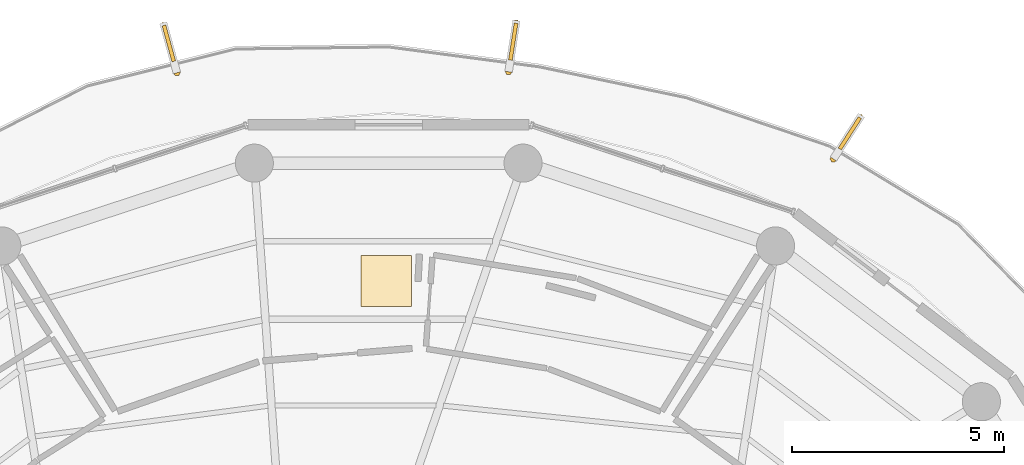
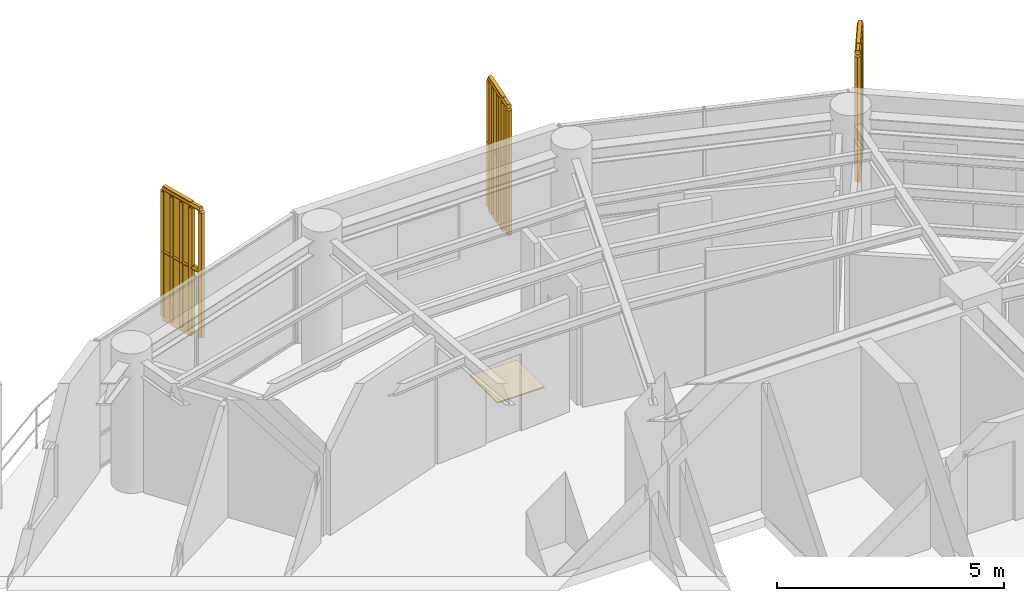
# One storey, part 23 of 23: 3 railings, 3 shading devices, 1 covering.
"""IFC4 building model written with IfcOpenShell, lengths in metres."""

from ifc_helpers import new_model, si_unit, direction, frame, origin, origin_2d, place, context, subcontext, project, spatial, polyline, rectangle, outline, extrude, source, transform, mapped, material, layer, layer_set, type_object, element, save


model = new_model("IFC4")

# Units and contexts
model_context = context("Model", 3, precision=1e-05, world=origin(), true_north=direction((0.0, 1.0)))
body_context = subcontext(model_context, "Body", "Model", "MODEL_VIEW")
ifc_project = project(units=[si_unit("LENGTHUNIT", "METRE"), si_unit("AREAUNIT", "SQUARE_METRE"), si_unit("VOLUMEUNIT", "CUBIC_METRE"), si_unit("PLANEANGLEUNIT", "RADIAN"), si_unit("MASSUNIT", "GRAM", prefix="KILO")], contexts=[model_context])

# Site, building, storey
site_placement = place(None, origin())
site = spatial("IfcSite", under=ifc_project, at=site_placement, CompositionType="ELEMENT")
building_placement = place(site_placement, origin())
building = spatial("IfcBuilding", under=site, at=building_placement, Name="Kelanora Arch Commons", CompositionType="ELEMENT")
storey_placement = place(building_placement, frame((0.0, 0.0, 278.699951171875)))
storey = spatial("IfcBuildingStorey", under=building, at=storey_placement, Name="L71", CompositionType="ELEMENT", Elevation=278.699951171875)

# Railings
ifc_material_1 = material(Name="Anodised bronze vertical shading fin rib assembly")
railing_type = type_object("IfcRailingType", Name="RAIL-FIN-BRZ", PredefinedType="BALUSTRADE", material=ifc_material_1)
railing_1_placement = place(storey_placement, frame((84.50634765625, 74.328857421875, -0.02001953125)))
element("IfcRailing", 1, at=railing_1_placement, inside=storey, type_object=railing_type, Name="Sweeping Bronze Vertical Fin Blade L71-03", PredefinedType="BALUSTRADE", context=body_context, shape_type="SweptSolid", body=[
    extrude(outline(polyline([(0.06982421875, 0.0), (0.034912109375, 0.060546875), (-0.034912109375, 0.060546875), (-0.06982421875, 0.0), (-0.034912109375, -0.060546875), (0.034912109375, -0.060546875), (0.06982421875, 0.0)])), frame((0.0, 0.0, 3.419921875), z_axis=(0.541065173996, 0.840980664159, 0.0), x_axis=(-0.840980664159, 0.541065173996, 0.0)), (0.0, 0.0, 1.0), 1.163330078125),
    extrude(outline(polyline([(0.06982421875, 0.0), (0.034912109375, 0.060546875), (-0.034912109375, 0.060546875), (-0.06982421875, 0.0), (-0.034912109375, -0.060546875), (0.034912109375, -0.060546875), (0.06982421875, 0.0)])), frame((0.0, 0.0, 1.7451171875), z_axis=(0.541065173996, 0.840980664159, 0.0), x_axis=(-0.840980664159, 0.541065173996, 0.0)), (0.0, 0.0, 1.0), 1.163330078125),
    extrude(outline(polyline([(0.080078125, 0.0), (0.0400390625, 0.0693359375), (-0.0400390625, 0.0693359375), (-0.080078125, 0.0), (-0.0400390625, -0.0693359375), (0.0400390625, -0.0693359375), (0.080078125, 0.0)])), origin(), (0.0, 0.0, 1.0), 3.35009765625),
    extrude(outline(polyline([(0.080078125, 0.0), (0.0400390625, 0.0693359375), (-0.0400390625, 0.0693359375), (-0.080078125, 0.0), (-0.0400390625, -0.0693359375), (0.0400390625, -0.0693359375), (0.080078125, 0.0)])), frame((0.1572265625, 0.24462890625, 0.0)), (0.0, 0.0, 1.0), 3.35009765625),
    extrude(outline(polyline([(0.080078125, 0.0), (0.0400390625, 0.0693359375), (-0.0400390625, 0.0693359375), (-0.080078125, 0.0), (-0.0400390625, -0.0693359375), (0.0400390625, -0.0693359375), (0.080078125, 0.0)])), frame((0.314697265625, 0.4892578125, 0.0)), (0.0, 0.0, 1.0), 3.35009765625),
    extrude(outline(polyline([(0.080078125, 0.0), (0.0400390625, 0.0693359375), (-0.0400390625, 0.0693359375), (-0.080078125, 0.0), (-0.0400390625, -0.0693359375), (0.0400390625, -0.0693359375), (0.080078125, 0.0)])), frame((0.47216796875, 0.733642578125, 0.0)), (0.0, 0.0, 1.0), 3.35009765625),
    extrude(outline(polyline([(0.080078125, 0.0), (0.0400390625, 0.0693359375), (-0.0400390625, 0.0693359375), (-0.080078125, 0.0), (-0.0400390625, -0.0693359375), (0.0400390625, -0.0693359375), (0.080078125, 0.0)])), frame((0.62939453125, 0.978271484375, 0.0)), (0.0, 0.0, 1.0), 3.35009765625),
])
railing_2_placement = place(storey_placement, frame((76.832763671875, 76.38818359375, -0.02001953125)))
element("IfcRailing", 2, at=railing_2_placement, inside=storey, type_object=railing_type, Name="Sweeping Bronze Vertical Fin Blade L71-04", PredefinedType="BALUSTRADE", context=body_context, shape_type="SweptSolid", body=[
    extrude(outline(polyline([(0.06982421875, 0.0), (0.034912109375, 0.060546875), (-0.034912109375, 0.060546875), (-0.06982421875, 0.0), (-0.034912109375, -0.060546875), (0.034912109375, -0.060546875), (0.06982421875, 0.0)])), frame((0.0, 0.0, 3.419921875), z_axis=(0.152372602526, 0.988323120239, 0.0), x_axis=(-0.988323120239, 0.152372602526, 0.0)), (0.0, 0.0, 1.0), 1.163330078125),
    extrude(outline(polyline([(0.06982421875, 0.0), (0.034912109375, 0.060546875), (-0.034912109375, 0.060546875), (-0.06982421875, 0.0), (-0.034912109375, -0.060546875), (0.034912109375, -0.060546875), (0.06982421875, 0.0)])), frame((0.0, 0.0, 1.7451171875), z_axis=(0.152372602526, 0.988323120239, 0.0), x_axis=(-0.988323120239, 0.152372602526, 0.0)), (0.0, 0.0, 1.0), 1.163330078125),
    extrude(outline(polyline([(0.080078125, 0.0), (0.0400390625, 0.0693359375), (-0.0400390625, 0.0693359375), (-0.080078125, 0.0), (-0.0400390625, -0.0693359375), (0.0400390625, -0.0693359375), (0.080078125, 0.0)])), origin(), (0.0, 0.0, 1.0), 3.35009765625),
    extrude(outline(polyline([(0.080078125, 0.0), (0.0400390625, 0.0693359375), (-0.0400390625, 0.0693359375), (-0.080078125, 0.0), (-0.0400390625, -0.0693359375), (0.0400390625, -0.0693359375), (0.080078125, 0.0)])), frame((0.04443359375, 0.287353515625, 0.0)), (0.0, 0.0, 1.0), 3.35009765625),
    extrude(outline(polyline([(0.080078125, 0.0), (0.0400390625, 0.0693359375), (-0.0400390625, 0.0693359375), (-0.080078125, 0.0), (-0.0400390625, -0.0693359375), (0.0400390625, -0.0693359375), (0.080078125, 0.0)])), frame((0.088623046875, 0.57470703125, 0.0)), (0.0, 0.0, 1.0), 3.35009765625),
    extrude(outline(polyline([(0.080078125, 0.0), (0.0400390625, 0.0693359375), (-0.0400390625, 0.0693359375), (-0.080078125, 0.0), (-0.0400390625, -0.0693359375), (0.0400390625, -0.0693359375), (0.080078125, 0.0)])), frame((0.1328125, 0.8623046875, 0.0)), (0.0, 0.0, 1.0), 3.35009765625),
    extrude(outline(polyline([(0.080078125, 0.0), (0.0400390625, 0.0693359375), (-0.0400390625, 0.0693359375), (-0.080078125, 0.0), (-0.0400390625, -0.0693359375), (0.0400390625, -0.0693359375), (0.080078125, 0.0)])), frame((0.17724609375, 1.149658203125, 0.0)), (0.0, 0.0, 1.0), 3.35009765625),
])
railing_3_placement = place(storey_placement, frame((68.996337890625, 76.363525390625, -0.02001953125)))
element("IfcRailing", 3, at=railing_3_placement, inside=storey, type_object=railing_type, Name="Sweeping Bronze Vertical Fin Blade L71-05", PredefinedType="BALUSTRADE", context=body_context, shape_type="SweptSolid", body=[
    extrude(outline(polyline([(0.06982421875, 0.0), (0.034912109375, 0.060546875), (-0.034912109375, 0.060546875), (-0.06982421875, 0.0), (-0.034912109375, -0.060546875), (0.034912109375, -0.060546875), (0.06982421875, 0.0)])), frame((0.0, 0.0, 3.419921875), z_axis=(-0.262975332651, 0.964802557219, 0.0), x_axis=(-0.964802557219, -0.262975332651, 0.0)), (0.0, 0.0, 1.0), 1.163330078125),
    extrude(outline(polyline([(0.06982421875, 0.0), (0.034912109375, 0.060546875), (-0.034912109375, 0.060546875), (-0.06982421875, 0.0), (-0.034912109375, -0.060546875), (0.034912109375, -0.060546875), (0.06982421875, 0.0)])), frame((0.0, 0.0, 1.7451171875), z_axis=(-0.262975332651, 0.964802557219, 0.0), x_axis=(-0.964802557219, -0.262975332651, 0.0)), (0.0, 0.0, 1.0), 1.163330078125),
    extrude(outline(polyline([(0.080078125, 0.0), (0.0400390625, 0.0693359375), (-0.0400390625, 0.0693359375), (-0.080078125, 0.0), (-0.0400390625, -0.0693359375), (0.0400390625, -0.0693359375), (0.080078125, 0.0)])), origin(), (0.0, 0.0, 1.0), 3.35009765625),
    extrude(outline(polyline([(0.080078125, 0.0), (0.0400390625, 0.0693359375), (-0.0400390625, 0.0693359375), (-0.080078125, 0.0), (-0.0400390625, -0.0693359375), (0.0400390625, -0.0693359375), (0.080078125, 0.0)])), frame((-0.076416015625, 0.280517578125, 0.0)), (0.0, 0.0, 1.0), 3.35009765625),
    extrude(outline(polyline([(0.080078125, 0.0), (0.0400390625, 0.0693359375), (-0.0400390625, 0.0693359375), (-0.080078125, 0.0), (-0.0400390625, -0.0693359375), (0.0400390625, -0.0693359375), (0.080078125, 0.0)])), frame((-0.15283203125, 0.56103515625, 0.0)), (0.0, 0.0, 1.0), 3.35009765625),
    extrude(outline(polyline([(0.080078125, 0.0), (0.0400390625, 0.0693359375), (-0.0400390625, 0.0693359375), (-0.080078125, 0.0), (-0.0400390625, -0.0693359375), (0.0400390625, -0.0693359375), (0.080078125, 0.0)])), frame((-0.2294921875, 0.841796875, 0.0)), (0.0, 0.0, 1.0), 3.35009765625),
    extrude(outline(polyline([(0.080078125, 0.0), (0.0400390625, 0.0693359375), (-0.0400390625, 0.0693359375), (-0.080078125, 0.0), (-0.0400390625, -0.0693359375), (0.0400390625, -0.0693359375), (0.080078125, 0.0)])), frame((-0.305908203125, 1.122314453125, 0.0)), (0.0, 0.0, 1.0), 3.35009765625),
])

# Shading devices
ifc_material_2 = material(Name="Terracotta ceramic-clad extruded aluminium fin", Category="masonry")
shading_device_type = type_object("IfcShadingDeviceType", Name="SHD-FIN-FLARE", PredefinedType="USERDEFINED", material=ifc_material_2)
shared_shape_1 = source(origin(), body_context, "Body", "SweptSolid", [
    extrude(rectangle(XDim=0.8798828125, YDim=0.090087890625, at=origin_2d()), origin(), (0.0, 0.0, 1.0), 3.610107421875),
])
for number, where, z_axis, x_axis, name in (
    (4, (84.89599609375, 74.934326171875, -0.14013671875), (0.0, 0.0, 1.0), (0.541121252127, 0.840944582298, 0.0), "Sweeping Terracotta Fin L71-03"),
    (5, (76.9423828125, 77.099609375, -0.14013671875), (0.0, 0.0, 1.0), (0.152295885498, 0.988334944875, 0.0), "Sweeping Terracotta Fin L71-04"),
    (6, (68.806884765625, 77.05810546875, -0.14013671875), (0.0, 0.0, 1.0), (-0.262862823299, 0.964833216741, 0.0), "Sweeping Terracotta Fin L71-05"),
):
    element("IfcShadingDevice", number, at=place(storey_placement, frame(where, z_axis=z_axis, x_axis=x_axis)), inside=storey, type_object=shading_device_type, Name=name, ObjectType="FIN", PredefinedType="USERDEFINED", context=body_context, shape_type="MappedRepresentation", body=[
        mapped(shared_shape_1, transform((0.0, 0.0, 0.0), scale=1.0)),
    ])

# Covering
ifc_material_3 = material(Name="Polished local granite terrazzo flooring", Category="masonry")
ifc_layer = layer(ifc_material_3, 0.030029296875)
ifc_layer_set = layer_set([ifc_layer], Name="Polished local granite terrazzo flooring")
covering_type = type_object("IfcCoveringType", Name="COV-FLR-TER", PredefinedType="FLOORING", material=ifc_layer_set)
shared_shape_2 = source(origin(), body_context, "Body", "SweptSolid", [
    extrude(rectangle(XDim=1.199951171875, YDim=1.199951171875, at=origin_2d()), origin(), (0.0, 0.0, 1.0), 0.030029296875),
])
covering_placement = place(storey_placement, frame((73.939697265625, 71.446044921875, 0.0), z_axis=(0.0, 0.0, 1.0), x_axis=(1.0, 0.0, 0.0)))
element("IfcCovering", 7, at=covering_placement, inside=storey, type_object=covering_type, Name="Co-Living Studio L71-01 Terrazzo Finish", PredefinedType="FLOORING", context=body_context, shape_type="MappedRepresentation", body=[
    mapped(shared_shape_2, transform((0.0, 0.0, 0.0), scale=1.0)),
])

save(model, "model.ifc")
